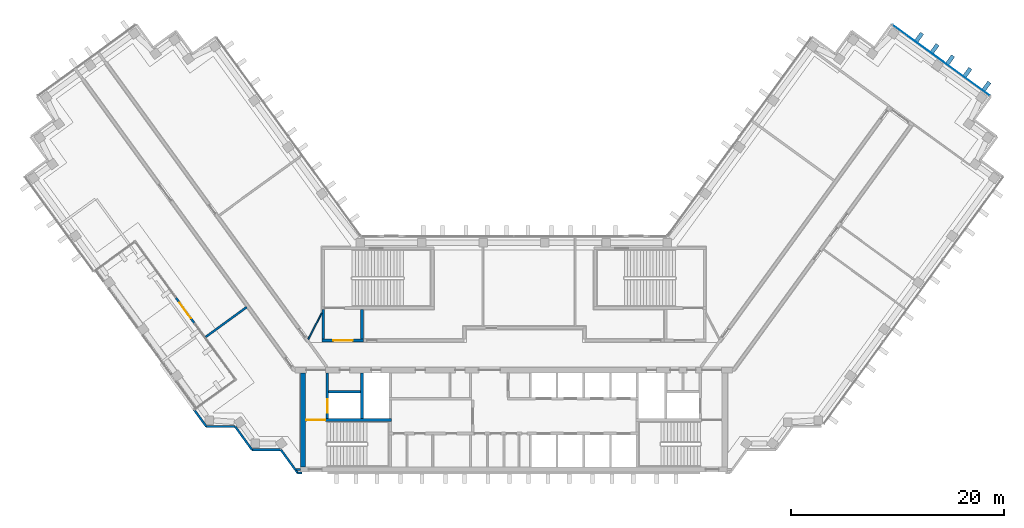
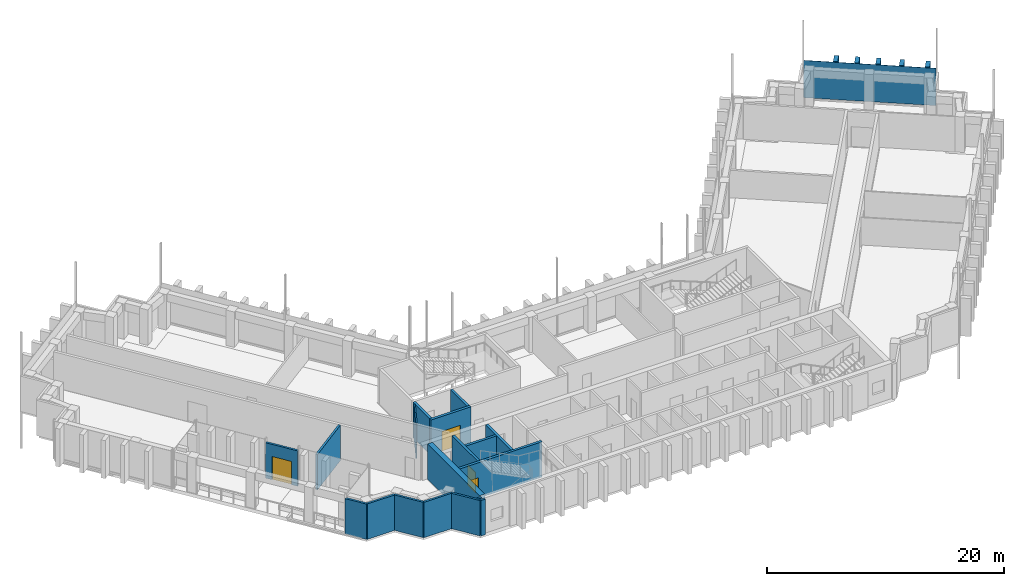
# One storey, part 7 of 15: 18 walls, 6 plates, 4 doors, 4 openings, 1 element without a shape of its own.
"""IFC4 building model written with IfcOpenShell, lengths in metres."""

from ifc_helpers import new_model, si_unit, direction, frame, frame_2d, origin, origin_2d, place, context, subcontext, project, spatial, rectangle, extrude, material, layer, layer_set, type_object, element, fill, aggregate, save


model = new_model("IFC4")

# Units and contexts
model_context = context("Model", 3, precision=1e-05, world=origin(), true_north=direction((0.0, 1.0)))
body_context = subcontext(model_context, "Body", "Model", "MODEL_VIEW")
ifc_project = project(units=[si_unit("LENGTHUNIT", "METRE"), si_unit("AREAUNIT", "SQUARE_METRE"), si_unit("VOLUMEUNIT", "CUBIC_METRE"), si_unit("PLANEANGLEUNIT", "RADIAN"), si_unit("MASSUNIT", "GRAM", prefix="KILO")], contexts=[model_context])

# Site, building, storey
site_placement = place(None, origin())
site = spatial("IfcSite", under=ifc_project, at=site_placement, CompositionType="ELEMENT")
building_placement = place(site_placement, origin())
building = spatial("IfcBuilding", under=site, at=building_placement, Name="Quipu Civic Tower", CompositionType="ELEMENT")
storey_placement = place(building_placement, frame((0.0, 0.0, 160.0)))
storey = spatial("IfcBuildingStorey", under=building, at=storey_placement, Name="L37", CompositionType="ELEMENT", Elevation=160.0)

# Curtain wall, plate
ifc_material_1 = material(Name="Insulated glass unit", Category="glass")
curtain_wall_type = type_object("IfcCurtainWallType", Name="Office curtain wall CW1", PredefinedType="NOTDEFINED", material=ifc_material_1)
curtain_wall_placement = place(storey_placement, origin())
curtain_wall = element("IfcCurtainWall", 1, at=curtain_wall_placement, inside=storey, type_object=curtain_wall_type, Name="Office curtain wall CW1 L36 run 31", PredefinedType="NOTDEFINED")
ifc_material_2 = material(Name="Insulated glass unit", Category="glass")
ifc_layer_1 = layer(ifc_material_2, 0.028076171875)
ifc_layer_set_1 = layer_set([ifc_layer_1], Name="Insulated glass unit")
plate_type_1 = type_object("IfcPlateType", Name="Glass panel CW1", PredefinedType="CURTAIN_PANEL", material=ifc_layer_set_1)
plate_placement = place(storey_placement, frame((40.04345703125, 27.58740234375, 0.16015625), z_axis=(0.0, 0.0, 1.0), x_axis=(-0.809015176832, 0.587787753918, 0.0)))
plate = element("IfcPlate", 2, at=plate_placement, type_object=plate_type_1, Name="CW1 panel 1.2", PredefinedType="CURTAIN_PANEL", context=body_context, shape_type="SweptSolid", body=[
    extrude(rectangle(XDim=11.239990234375, YDim=0.028076171875, at=origin_2d()), origin(), (0.0, 0.0, 1.0), 3.840087890625),
])
aggregate(curtain_wall, [plate])

# Plates
ifc_material_3 = material(Name="Precast concrete C40/50", Category="concrete")
plate_type_2 = type_object("IfcPlateType", Name="Precast fin F2", PredefinedType="SHEET", material=ifc_material_3)
for number, where, z_axis, x_axis, name in (
    (3, (44.298583984375, 25.17578125, 0.080078125), (0.0, 0.0, 1.0), (-0.809017072762, 0.587785144401, 0.0), "Precast fin F2 L37.P28.1"),
    (4, (42.518798828125, 26.468994140625, 0.080078125), (0.0, 0.0, 1.0), (-0.809017072762, 0.587785144401, 0.0), "Precast fin F2 L37.P28.2"),
    (5, (40.900634765625, 27.64453125, 0.080078125), (0.0, 0.0, 1.0), (-0.809017072762, 0.587785144401, 0.0), "Precast fin F2 L37.P28.3"),
    (6, (39.444580078125, 28.70263671875, 0.080078125), (0.0, 0.0, 1.0), (-0.809017072762, 0.587785144401, 0.0), "Precast fin F2 L37.P28.4"),
    (7, (37.98828125, 29.760498046875, 0.080078125), (0.0, 0.0, 1.0), (-0.809017072762, 0.587785144401, 0.0), "Precast fin F2 L37.P28.5"),
):
    element("IfcPlate", number, at=place(storey_placement, frame(where, z_axis=z_axis, x_axis=x_axis)), inside=storey, type_object=plate_type_2, Name=name, PredefinedType="SHEET", context=body_context, shape_type="SweptSolid", body=[
        extrude(rectangle(XDim=0.3798828125, YDim=0.89990234375, at=origin_2d()), origin(), (0.0, 0.0, 1.0), 3.919921875),
    ])

# Wall
ifc_material_4 = material(Name="Fired clay blockwork", Category="masonry")
ifc_layer_2 = layer(ifc_material_4, 0.199951171875)
ifc_layer_set_2 = layer_set([ifc_layer_2], Name="Fired clay blockwork")
wall_type_1 = type_object("IfcWallType", Name="Blockwork wall 200", PredefinedType="SOLIDWALL", material=ifc_layer_set_2)
wall_1_placement = place(storey_placement, frame((-28.875, 1.66748046875, 0.0), z_axis=(0.0, 0.0, 1.0), x_axis=(0.80907155287, 0.587710151637, 0.0)))
element("IfcWall", 8, at=wall_1_placement, inside=storey, type_object=wall_type_1, Name="Partition P09", PredefinedType="SOLIDWALL", context=body_context, shape_type="SweptSolid", body=[
    extrude(rectangle(XDim=4.750244140625, YDim=0.199951171875, at=frame_2d((2.375, 0.0))), origin(), (0.0, 0.0, 1.0), 3.64990234375),
])

# Wall, opening, door
ifc_material_5 = material(Name="Concrete C70/85", Category="concrete")
ifc_layer_3 = layer(ifc_material_5, 0.25)
ifc_layer_set_3 = layer_set([ifc_layer_3], Name="Concrete C70/85")
wall_type_2 = type_object("IfcWallType", Name="Core wall 250", PredefinedType="SHEAR", material=ifc_layer_set_3)
wall_2_placement = place(storey_placement, frame((-11.449951171875, -6.125, 0.0), z_axis=(0.0, 0.0, 1.0), x_axis=(-1.0, 0.0, 0.0)))
wall_2 = element("IfcWall", 9, at=wall_2_placement, inside=storey, type_object=wall_type_2, Name="Core wall", PredefinedType="SHEAR", context=body_context, shape_type="SweptSolid", body=[
    extrude(rectangle(XDim=8.050048828125, YDim=0.25, at=frame_2d((4.02490234375, 0.0))), origin(), (0.0, 0.0, 1.0), 3.64990234375),
])
opening_1_placement = place(wall_2_placement, frame((6.199951171875, 0.0, 0.0)))
opening_1 = element("IfcOpeningElement", 10, at=opening_1_placement, cuts=wall_2, Name="Opening CD-08", PredefinedType="OPENING", context=body_context, shape_type="SweptSolid", body=[
    extrude(rectangle(XDim=1.800048828125, YDim=2.10009765625, at=frame_2d((0.89990234375, 1.050048828125))), frame((0.0, 0.135009765625, 0.0), z_axis=(0.0, -1.0, 0.0), x_axis=(1.0, 0.0, 0.0)), (0.0, 0.0, 1.0), 0.27001953125),
])
ifc_material_6 = material(Name="Fire rated steel door", Category="steel")
door_type_1 = type_object("IfcDoorType", Name="Fire door FD90 double 1800 x 2100", OperationType="NOTDEFINED", PredefinedType="DOOR", material=ifc_material_6)
door_1_placement = place(opening_1_placement, origin())
door_1 = element("IfcDoor", 11, at=door_1_placement, inside=storey, type_object=door_type_1, Name="Door", OperationType="DOUBLE_DOOR_SINGLE_SWING", OverallHeight=2.10009765625, OverallWidth=1.800048828125, PredefinedType="DOOR", context=body_context, shape_type="SweptSolid", body=[
    extrude(rectangle(XDim=1.800048828125, YDim=2.10009765625, at=frame_2d((0.89990234375, 1.050048828125))), frame((0.0, 0.02490234375, 0.0), z_axis=(0.0, -1.0, 0.0), x_axis=(1.0, 0.0, 0.0)), (0.0, 0.0, 1.0), 0.050048828125),
])
fill(opening_1, door_1)

wall_3_placement = place(storey_placement, frame((-17.47509765625, -6.0, 0.0), z_axis=(0.0, 0.0, 1.0), x_axis=(0.0, 1.0, 0.0)))
wall_3 = element("IfcWall", 12, at=wall_3_placement, inside=storey, type_object=wall_type_2, Name="Core wall", PredefinedType="SHEAR", context=body_context, shape_type="SweptSolid", body=[
    extrude(rectangle(XDim=4.300048828125, YDim=0.25, at=frame_2d((2.14990234375, 0.0))), origin(), (0.0, 0.0, 1.0), 3.64990234375),
])
opening_2_placement = place(wall_3_placement, frame((0.550048828125, 0.0, 0.0)))
opening_2 = element("IfcOpeningElement", 13, at=opening_2_placement, cuts=wall_3, Name="Opening LD-FF1", PredefinedType="OPENING", context=body_context, shape_type="SweptSolid", body=[
    extrude(rectangle(XDim=1.300048828125, YDim=2.10009765625, at=frame_2d((0.64990234375, 1.050048828125))), frame((0.0, 0.135009765625, 0.0), z_axis=(0.0, -1.0, 0.0), x_axis=(1.0, 0.0, 0.0)), (0.0, 0.0, 1.0), 0.27001953125),
])
ifc_material_7 = material(Name="Stainless steel", Category="steel")
door_type_2 = type_object("IfcDoorType", Name="Lift landing door 1300 x 2100", OperationType="DOUBLE_DOOR_SLIDING", PredefinedType="DOOR", material=ifc_material_7)
door_2_placement = place(opening_2_placement, origin())
door_2 = element("IfcDoor", 14, at=door_2_placement, inside=storey, type_object=door_type_2, Name="Landing door FF1", OperationType="DOUBLE_DOOR_SLIDING", OverallHeight=2.10009765625, OverallWidth=1.300048828125, PredefinedType="DOOR", context=body_context, shape_type="SweptSolid", body=[
    extrude(rectangle(XDim=1.300048828125, YDim=2.10009765625, at=frame_2d((0.64990234375, 1.050048828125))), frame((0.0, 0.02490234375, 0.0), z_axis=(0.0, -1.0, 0.0), x_axis=(1.0, 0.0, 0.0)), (0.0, 0.0, 1.0), 0.050048828125),
])
fill(opening_2, door_2)

# Walls
wall_4_placement = place(storey_placement, frame((-14.22509765625, -6.0, 0.0), z_axis=(0.0, 0.0, 1.0), x_axis=(0.0, 1.0, 0.0)))
element("IfcWall", 15, at=wall_4_placement, inside=storey, type_object=wall_type_2, Name="Core wall", PredefinedType="SHEAR", context=body_context, shape_type="SweptSolid", body=[
    extrude(rectangle(XDim=4.300048828125, YDim=0.25, at=frame_2d((2.14990234375, 0.0))), origin(), (0.0, 0.0, 1.0), 3.64990234375),
])
wall_5_placement = place(storey_placement, frame((-17.35009765625, -3.47509765625, 0.0), z_axis=(0.0, 0.0, 1.0), x_axis=(1.0, 0.0, 0.0)))
element("IfcWall", 16, at=wall_5_placement, inside=storey, type_object=wall_type_2, Name="Core wall", PredefinedType="SHEAR", context=body_context, shape_type="SweptSolid", body=[
    extrude(rectangle(XDim=3.0, YDim=0.25, at=frame_2d((1.5, 0.0))), origin(), (0.0, 0.0, 1.0), 3.64990234375),
])

# Wall, opening, door
wall_6_placement = place(storey_placement, frame((-18.0, 1.324951171875, 0.0), z_axis=(0.0, 0.0, 1.0), x_axis=(1.0, 0.0, 0.0)))
wall_6 = element("IfcWall", 17, at=wall_6_placement, inside=storey, type_object=wall_type_2, Name="Core wall", PredefinedType="SHEAR", context=body_context, shape_type="SweptSolid", body=[
    extrude(rectangle(XDim=3.89990234375, YDim=0.25, at=frame_2d((1.949951171875, 0.0))), origin(), (0.0, 0.0, 1.0), 3.64990234375),
])
opening_3_placement = place(wall_6_placement, frame((1.10009765625, 0.0, 0.0)))
opening_3 = element("IfcOpeningElement", 18, at=opening_3_placement, cuts=wall_6, Name="Opening CD-22", PredefinedType="OPENING", context=body_context, shape_type="SweptSolid", body=[
    extrude(rectangle(XDim=1.800048828125, YDim=2.10009765625, at=frame_2d((0.89990234375, 1.050048828125))), frame((0.0, 0.135009765625, 0.0), z_axis=(0.0, -1.0, 0.0), x_axis=(1.0, 0.0, 0.0)), (0.0, 0.0, 1.0), 0.27001953125),
])
door_3_placement = place(opening_3_placement, origin())
door_3 = element("IfcDoor", 19, at=door_3_placement, inside=storey, type_object=door_type_1, Name="Lobby door", OperationType="DOUBLE_DOOR_SINGLE_SWING", OverallHeight=2.10009765625, OverallWidth=1.800048828125, PredefinedType="DOOR", context=body_context, shape_type="SweptSolid", body=[
    extrude(rectangle(XDim=1.800048828125, YDim=2.10009765625, at=frame_2d((0.89990234375, 1.050048828125))), frame((0.0, 0.02490234375, 0.0), z_axis=(0.0, -1.0, 0.0), x_axis=(1.0, 0.0, 0.0)), (0.0, 0.0, 1.0), 0.050048828125),
])
fill(opening_3, door_3)

# Walls
for number, where, z_axis, x_axis, name in (
    (20, (-17.875, 1.449951171875, 0.0), (0.0, 0.0, 1.0), (0.0, 1.0, 0.0), "Core wall"),
    (21, (-14.22509765625, 1.449951171875, 0.0), (0.0, 0.0, 1.0), (0.0, 1.0, 0.0), "Core wall"),
):
    element("IfcWall", number, at=place(storey_placement, frame(where, z_axis=z_axis, x_axis=x_axis)), inside=storey, type_object=wall_type_2, Name=name, PredefinedType="SHEAR", context=body_context, shape_type="SweptSolid", body=[
        extrude(rectangle(XDim=2.800048828125, YDim=0.25, at=frame_2d((1.39990234375, 0.0))), origin(), (0.0, 0.0, 1.0), 3.64990234375),
    ])
ifc_material_8 = material(Name="Concrete C70/85", Category="concrete")
ifc_layer_4 = layer(ifc_material_8, 0.5)
ifc_layer_set_4 = layer_set([ifc_layer_4], Name="Concrete C70/85")
wall_type_3 = type_object("IfcWallType", Name="Core wall 500", PredefinedType="SHEAR", material=ifc_layer_set_4)
wall_7_placement = place(storey_placement, frame((-19.75, -10.5, 0.0), z_axis=(0.0, 0.0, 1.0), x_axis=(0.0, 1.0, 0.0)))
element("IfcWall", 22, at=wall_7_placement, inside=storey, type_object=wall_type_3, Name="Core wall", PredefinedType="SHEAR", context=body_context, shape_type="SweptSolid", body=[
    extrude(rectangle(XDim=8.800048828125, YDim=0.5, at=frame_2d((4.39990234375, 0.0))), origin(), (0.0, 0.0, 1.0), 3.64990234375),
])
ifc_material_9 = material(Name="Gypsum plasterboard on light gauge framing")
ifc_layer_5 = layer(ifc_material_9, 0.1201171875)
ifc_layer_set_5 = layer_set([ifc_layer_5], Name="Gypsum plasterboard on light gauge framing")
wall_type_4 = type_object("IfcWallType", Name="Partition 120 plasterboard", PredefinedType="PARTITIONING", material=ifc_layer_set_5)
wall_8_placement = place(storey_placement, frame((-19.260986328125, 1.449951171875, 0.0), z_axis=(0.0, 0.0, 1.0), x_axis=(0.453950796792, 0.891026752736, 0.0)))
element("IfcWall", 23, at=wall_8_placement, inside=storey, type_object=wall_type_4, Name="Partition P11", PredefinedType="PARTITIONING", context=body_context, shape_type="SweptSolid", body=[
    extrude(rectangle(XDim=2.77783203125, YDim=0.1201171875, at=frame_2d((1.388916015625, 0.0))), origin(), (0.0, 0.0, 1.0), 3.64990234375),
])
ifc_material_10 = material(Name="Precast concrete C40/50", Category="concrete")
wall_type_5 = type_object("IfcWallType", Name="Precast cladding wall", PredefinedType="SOLIDWALL", material=ifc_material_10)
wall_9_placement = place(storey_placement, frame((-28.829833984375, -6.71923828125, 0.0), z_axis=(0.0, 0.0, 1.0), x_axis=(1.0, 0.0, 0.0)))
element("IfcWall", 24, at=wall_9_placement, inside=storey, type_object=wall_type_5, Name="Precast cladding wall L37 P04", PredefinedType="SOLIDWALL", context=body_context, shape_type="SweptSolid", body=[
    extrude(rectangle(XDim=2.699951171875, YDim=0.199951171875, at=frame_2d((1.35009765625, 0.0))), origin(), (0.0, 0.0, 1.0), 3.64990234375),
])
wall_10_placement = place(storey_placement, frame((-26.1201171875, -6.72412109375, 0.0), z_axis=(0.0, 0.0, 1.0), x_axis=(0.587720002413, -0.809064397168, 0.0)))
element("IfcWall", 25, at=wall_10_placement, inside=storey, type_object=wall_type_5, Name="Precast cladding wall L37 P05", PredefinedType="SOLIDWALL", context=body_context, shape_type="SweptSolid", body=[
    extrude(rectangle(XDim=2.7001953125, YDim=0.199951171875, at=frame_2d((1.35009765625, 0.0))), origin(), (0.0, 0.0, 1.0), 3.64990234375),
])
wall_11_placement = place(storey_placement, frame((-29.969482421875, -5.14208984375, 0.0), z_axis=(0.0, 0.0, 1.0), x_axis=(0.587785613349, -0.809016732052, 0.0)))
element("IfcWall", 26, at=wall_11_placement, inside=storey, type_object=wall_type_5, Name="Precast cladding wall L37 7", PredefinedType="SOLIDWALL", context=body_context, shape_type="SweptSolid", body=[
    extrude(rectangle(XDim=1.95556640625, YDim=0.199951171875, at=frame_2d((0.977783203125, 0.0))), origin(), (0.0, 0.0, 1.0), 3.64990234375),
])
wall_12_placement = place(storey_placement, frame((-24.542724609375, -8.90380859375, 0.0), z_axis=(0.0, 0.0, 1.0), x_axis=(1.0, 0.0, 0.0)))
element("IfcWall", 27, at=wall_12_placement, inside=storey, type_object=wall_type_5, Name="Precast cladding wall L37 P13", PredefinedType="SOLIDWALL", context=body_context, shape_type="SweptSolid", body=[
    extrude(rectangle(XDim=2.699951171875, YDim=0.199951171875, at=frame_2d((1.35009765625, 0.0))), origin(), (0.0, 0.0, 1.0), 3.64990234375),
])
wall_13_placement = place(storey_placement, frame((-21.8330078125, -8.90869140625, 0.0), z_axis=(0.0, 0.0, 1.0), x_axis=(0.587766567315, -0.809030569476, 0.0)))
element("IfcWall", 28, at=wall_13_placement, inside=storey, type_object=wall_type_5, Name="Precast cladding wall L37 P14", PredefinedType="SOLIDWALL", context=body_context, shape_type="SweptSolid", body=[
    extrude(rectangle(XDim=2.687744140625, YDim=0.199951171875, at=frame_2d((1.34375, 0.0))), origin(), (0.0, 0.0, 1.0), 3.64990234375),
])
wall_14_placement = place(storey_placement, frame((-20.255859375, -11.087890625, 0.0), z_axis=(0.0, 0.0, 1.0), x_axis=(1.0, 0.0, 0.0)))
element("IfcWall", 29, at=wall_14_placement, inside=storey, type_object=wall_type_5, Name="Precast cladding wall L37 P15", PredefinedType="SOLIDWALL", context=body_context, shape_type="SweptSolid", body=[
    extrude(rectangle(XDim=0.40576171875, YDim=0.199951171875, at=frame_2d((0.202880859375, 0.0))), origin(), (0.0, 0.0, 1.0), 3.64990234375),
])
wall_15_placement = place(storey_placement, frame((-19.97998046875, -10.75, 0.0), z_axis=(0.0, 0.0, 1.0), x_axis=(-1.0, 0.0, 0.0)))
element("IfcWall", 30, at=wall_15_placement, inside=storey, type_object=wall_type_5, Name="Precast cladding return L37 W", PredefinedType="SOLIDWALL", context=body_context, shape_type="SweptSolid", body=[
    extrude(rectangle(XDim=0.41650390625, YDim=0.199951171875, at=frame_2d((0.208251953125, 0.0))), origin(), (0.0, 0.0, 1.0), 3.64990234375),
])

# Wall, opening, door
ifc_material_11 = material(Name="Precast concrete C40/50", Category="concrete")
wall_type_6 = type_object("IfcWallType", Name="Precast door surround", PredefinedType="SOLIDWALL", material=ifc_material_11)
wall_16_placement = place(storey_placement, frame((-29.92724609375, 2.945556640625, 0.0), z_axis=(0.0, 0.0, 1.0), x_axis=(-0.58782869016, 0.808985433135, 0.0)))
wall_16 = element("IfcWall", 31, at=wall_16_placement, inside=storey, type_object=wall_type_6, Name="Door surround ED-L37-1", PredefinedType="SOLIDWALL", context=body_context, shape_type="SweptSolid", body=[
    extrude(rectangle(XDim=2.962890625, YDim=0.199951171875, at=frame_2d((1.4814453125, 0.0))), origin(), (0.0, 0.0, 1.0), 3.64990234375),
])
opening_4_placement = place(wall_16_placement, frame((0.58154296875, 0.0, 0.0)))
opening_4 = element("IfcOpeningElement", 32, at=opening_4_placement, cuts=wall_16, Name="Opening ED-L37-1", PredefinedType="OPENING", context=body_context, shape_type="SweptSolid", body=[
    extrude(rectangle(XDim=1.800048828125, YDim=2.39990234375, at=frame_2d((0.89990234375, 1.199951171875))), frame((0.0, 0.10986328125, 0.0), z_axis=(0.0, -1.0, 0.0), x_axis=(1.0, 0.0, 0.0)), (0.0, 0.0, 1.0), 0.219970703125),
])
ifc_material_12 = material(Name="Aluminium framed glazed door", Category="aluminium")
door_type_3 = type_object("IfcDoorType", Name="Terrace door E3", OperationType="DOUBLE_DOOR_SINGLE_SWING", PredefinedType="DOOR", material=ifc_material_12)
door_4_placement = place(opening_4_placement, origin())
door_4 = element("IfcDoor", 33, at=door_4_placement, inside=storey, type_object=door_type_3, Name="E3 door ED-L37-1", OperationType="DOUBLE_DOOR_SINGLE_SWING", OverallHeight=2.39990234375, OverallWidth=1.800048828125, PredefinedType="DOOR", context=body_context, shape_type="SweptSolid", body=[
    extrude(rectangle(XDim=1.800048828125, YDim=2.39990234375, at=frame_2d((0.89990234375, 1.199951171875))), frame((0.0, 0.02490234375, 0.0), z_axis=(0.0, -1.0, 0.0), x_axis=(1.0, 0.0, 0.0)), (0.0, 0.0, 1.0), 0.050048828125),
])
fill(opening_4, door_4)

save(model, "model.ifc")
